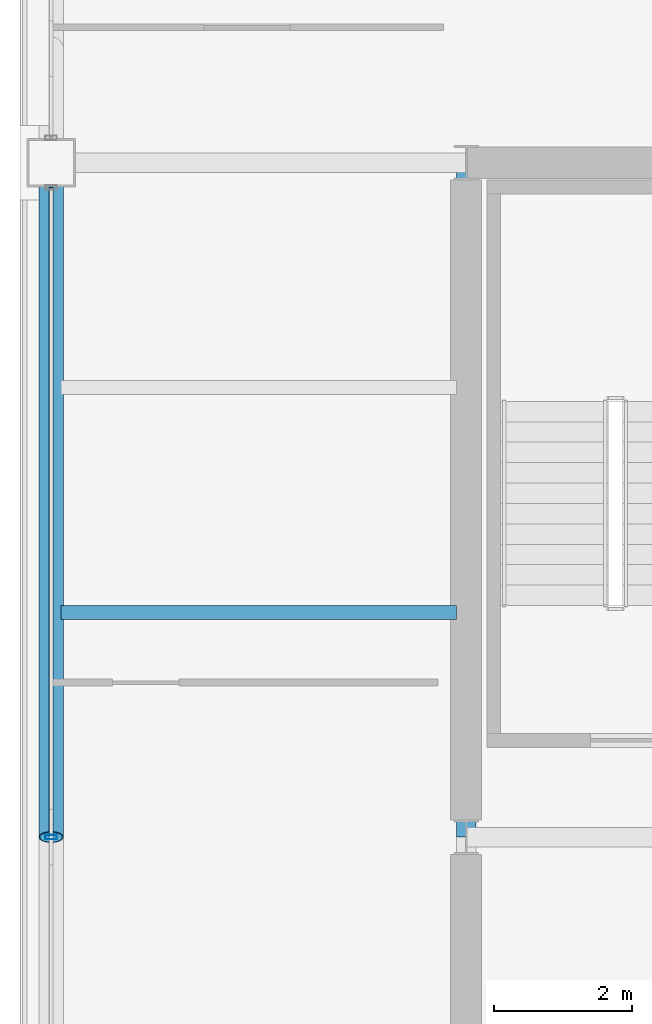
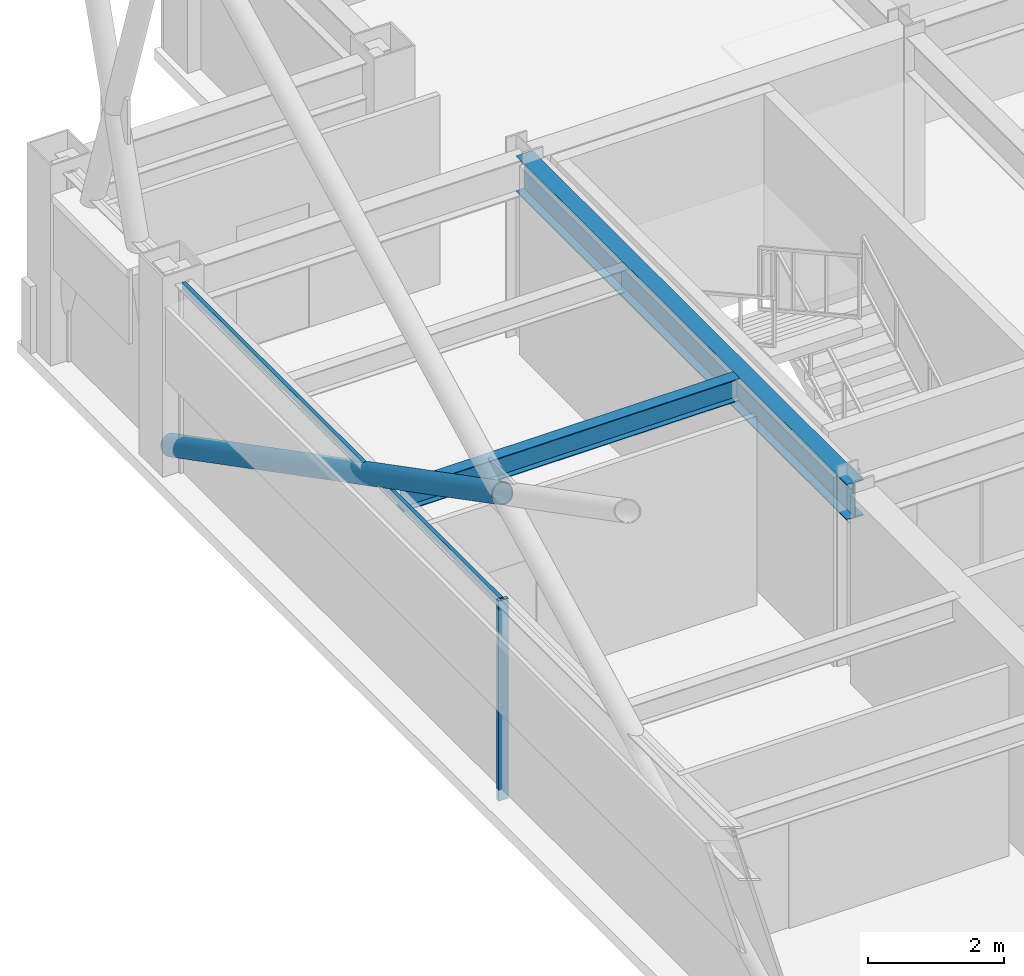
# One storey, part 10 of 33: 3 members, 2 beams, 1 element without a shape of its own.
"""IFC4 building model written with IfcOpenShell, lengths in metres."""

from ifc_helpers import new_model, si_unit, direction, frame, origin, origin_2d, place, context, subcontext, project, spatial, hollow_rectangle, hollow_circle, i_section, extrude, material, layer, layer_set, material_profile, profile_set, type_object, element, aggregate, save


model = new_model("IFC4")

# Units and contexts
model_context = context("Model", 3, precision=1e-05, world=origin(), true_north=direction((0.0, 1.0)))
body_context = subcontext(model_context, "Body", "Model", "MODEL_VIEW")
ifc_project = project(units=[si_unit("LENGTHUNIT", "METRE"), si_unit("AREAUNIT", "SQUARE_METRE"), si_unit("VOLUMEUNIT", "CUBIC_METRE"), si_unit("PLANEANGLEUNIT", "RADIAN"), si_unit("MASSUNIT", "GRAM", prefix="KILO")], contexts=[model_context])

# Site, building, storey
site_placement = place(None, origin())
site = spatial("IfcSite", under=ifc_project, at=site_placement, CompositionType="ELEMENT")
building_placement = place(site_placement, origin())
building = spatial("IfcBuilding", under=site, at=building_placement, Name="Brelmoor Portico Tower", CompositionType="ELEMENT")
storey_placement = place(building_placement, frame((0.0, 0.0, 183.89990234375)))
storey = spatial("IfcBuildingStorey", under=building, at=storey_placement, Name="L48", CompositionType="ELEMENT", Elevation=183.89990234375)

# Beams
ifc_material_1 = material(Name="Steel Q355B", Category="steel")
ifc_material_profile_1 = material_profile(ifc_material_1, i_section(OverallWidth=0.199951171875, OverallDepth=0.39990234375, WebThickness=0.008056640625, FlangeThickness=0.012939453125, at=origin_2d()), Name="HN 400x200x8x13")
ifc_profile_set_1 = profile_set([ifc_material_profile_1], Name="Steel Q355B")
beam_type_1 = type_object("IfcBeamType", Name="BM-JS-400", PredefinedType="JOIST", material=ifc_profile_set_1)
beam_1_placement = place(storey_placement, frame((-20.409912109375, 3.25, 3.2001953125), z_axis=(1.0, 0.0, 0.0), x_axis=(0.0, 1.0, 0.0)))
element("IfcBeam", 1, at=beam_1_placement, inside=storey, type_object=beam_type_1, Name="L48 Secondary Wing Joist JS-W07", PredefinedType="JOIST", context=body_context, shape_type="SweptSolid", body=[
    extrude(i_section(OverallWidth=0.199951171875, OverallDepth=0.39990234375, WebThickness=0.008056640625, FlangeThickness=0.012939453125, at=origin_2d()), origin(), (0.0, 0.0, 1.0), 5.719970703125),
])
ifc_material_profile_2 = material_profile(ifc_material_1, i_section(OverallWidth=0.280029296875, OverallDepth=0.64990234375, WebThickness=0.012939453125, FlangeThickness=0.02197265625, at=origin_2d()), Name="HN 650x280x13x22")
ifc_profile_set_2 = profile_set([ifc_material_profile_2], Name="Steel Q355B")
beam_type_2 = type_object("IfcBeamType", Name="BM-PG-650", PredefinedType="BEAM", material=ifc_profile_set_2)
beam_2_placement = place(storey_placement, frame((-14.550048828125, 0.0, 3.0751953125), z_axis=(0.0, 1.0, 0.0), x_axis=(-1.0, 0.0, 0.0)))
element("IfcBeam", 2, at=beam_2_placement, inside=storey, type_object=beam_type_2, Name="L48 Primary Floor Girder PG-02", PredefinedType="BEAM", context=body_context, shape_type="SweptSolid", body=[
    extrude(i_section(OverallWidth=0.280029296875, OverallDepth=0.64990234375, WebThickness=0.012939453125, FlangeThickness=0.02197265625, at=origin_2d()), origin(), (0.0, 0.0, 1.0), 9.75),
])

# Member
ifc_material_profile_3 = material_profile(ifc_material_1, hollow_circle(Radius=0.177978515625, WallThickness=0.01611328125, at=origin_2d()), Name="CHS 356x16")
ifc_profile_set_3 = profile_set([ifc_material_profile_3], Name="Steel Q355B")
member_type_1 = type_object("IfcMemberType", Name="MB-BELT-DIAG2", PredefinedType="BRACE", material=ifc_profile_set_3)
member_1_placement = place(storey_placement, frame((-20.550048828125, 9.75, 0.25), z_axis=(0.0, -0.887959386012, 0.459921872488), x_axis=(1.0, 0.0, 0.0)))
element("IfcMember", 3, at=member_1_placement, inside=storey, type_object=member_type_1, Name="L48 Split Mega-X Brace 112B1", PredefinedType="BRACE", context=body_context, shape_type="SweptSolid", body=[
    extrude(hollow_circle(Radius=0.177978515625, WallThickness=0.01611328125, at=origin_2d()), origin(), (0.0, 0.0, 1.0), 10.980224609375),
])

# Curtain wall, members
ifc_material_2 = material(Name="Anodised Aluminium Alloy 6063-T6", Category="aluminium")
ifc_layer = layer(ifc_material_2, 0.179931640625)
ifc_layer_set = layer_set([ifc_layer], Name="Anodised Aluminium Alloy 6063-T6")
curtain_wall_type = type_object("IfcCurtainWallType", Name="CW-TOWER-Z3-XB", PredefinedType="NOTDEFINED", material=ifc_layer_set)
curtain_wall_placement = place(storey_placement, origin())
curtain_wall = element("IfcCurtainWall", 4, at=curtain_wall_placement, inside=storey, type_object=curtain_wall_type, Name="L48 Curtain Wall CW-L48-03-2", PredefinedType="NOTDEFINED")
ifc_material_profile_4 = material_profile(ifc_material_2, hollow_rectangle(XDim=0.06494140625, YDim=0.1650390625, WallThickness=0.00390625, at=origin_2d()), Name="ALU MULLION 65x165")
ifc_profile_set_4 = profile_set([ifc_material_profile_4], Name="Anodised Aluminium Alloy 6063-T6")
member_type_2 = type_object("IfcMemberType", Name="MB-CW-MULL-165", PredefinedType="MULLION", material=ifc_profile_set_4)
member_2_placement = place(storey_placement, frame((-20.550048828125, 0.0, -0.199951171875), z_axis=(0.0, 0.0, 1.0), x_axis=(0.0, 1.0, 0.0)))
member_2 = element("IfcMember", 5, at=member_2_placement, type_object=member_type_2, Name="CW-L48-03-2 Mullion 01", PredefinedType="MULLION", context=body_context, shape_type="SweptSolid", body=[
    extrude(hollow_rectangle(XDim=0.06494140625, YDim=0.1650390625, WallThickness=0.00390625, at=origin_2d()), origin(), (0.0, 0.0, 1.0), 3.60009765625),
])
ifc_material_profile_5 = material_profile(ifc_material_2, hollow_rectangle(XDim=0.06005859375, YDim=0.125, WallThickness=0.00341796875, at=origin_2d()), Name="ALU TRANSOM 60x125")
ifc_profile_set_5 = profile_set([ifc_material_profile_5], Name="Anodised Aluminium Alloy 6063-T6")
member_type_3 = type_object("IfcMemberType", Name="MB-CW-TRAN-125", PredefinedType="USERDEFINED", material=ifc_profile_set_5)
member_3_placement = place(storey_placement, frame((-20.550048828125, 0.0, 3.337646484375), z_axis=(0.0, 1.0, 0.0), x_axis=(-1.0, 0.0, 0.0)))
member_3 = element("IfcMember", 6, at=member_3_placement, type_object=member_type_3, Name="CW-L48-03-2 Transom 1-01", ObjectType="TRANSOM", PredefinedType="USERDEFINED", context=body_context, shape_type="SweptSolid", body=[
    extrude(hollow_rectangle(XDim=0.06005859375, YDim=0.125, WallThickness=0.00341796875, at=origin_2d()), origin(), (0.0, 0.0, 1.0), 9.389892578125),
])
aggregate(curtain_wall, [member_2, member_3])

save(model, "model.ifc")
